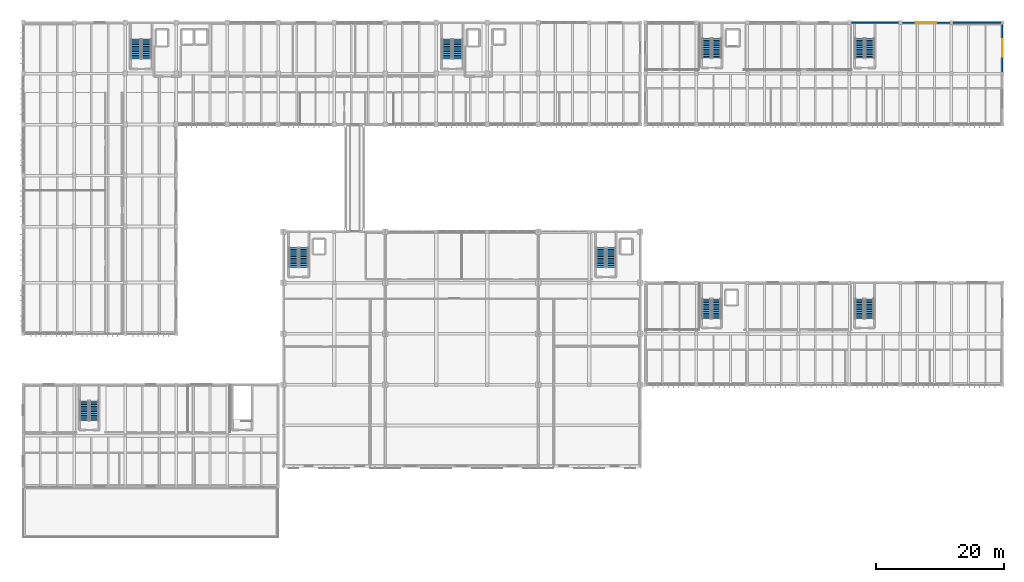
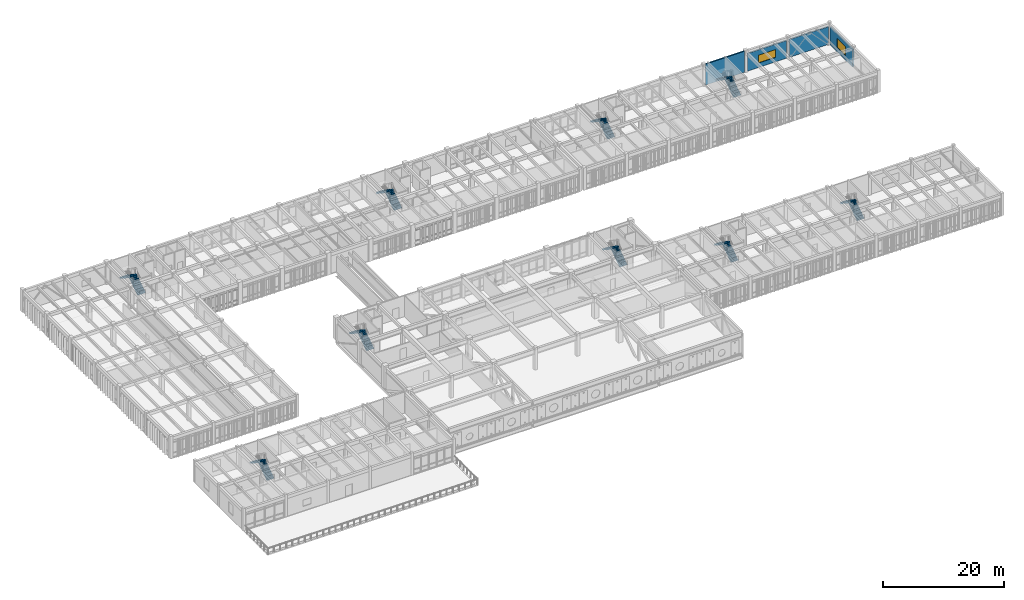
# One storey, part 62 of 79: 18 stair flights, 4 walls, 2 windows, 2 openings, 9 elements without a shape of their own.
"""IFC4 building model written with IfcOpenShell, lengths in metres."""

from ifc_helpers import new_model, si_unit, direction, frame, frame_2d, origin, place, context, subcontext, project, spatial, polyline, rectangle, outline, extrude, material, layer, layer_set, type_object, element, fill, aggregate, save


model = new_model("IFC4")

# Units and contexts
model_context = context("Model", 3, precision=1e-05, world=origin(), true_north=direction((0.0, 1.0)))
body_context = subcontext(model_context, "Body", "Model", "MODEL_VIEW")
ifc_project = project(units=[si_unit("LENGTHUNIT", "METRE"), si_unit("AREAUNIT", "SQUARE_METRE"), si_unit("VOLUMEUNIT", "CUBIC_METRE"), si_unit("PLANEANGLEUNIT", "RADIAN"), si_unit("MASSUNIT", "GRAM", prefix="KILO")], contexts=[model_context])

# Site, building, storey
site_placement = place(None, origin())
site = spatial("IfcSite", under=ifc_project, at=site_placement, CompositionType="ELEMENT")
building_placement = place(site_placement, origin())
building = spatial("IfcBuilding", under=site, at=building_placement, Name="Tlaxcora Railside Police Headquarters", CompositionType="ELEMENT")
storey_placement = place(building_placement, frame((0.0, 0.0, 9.0)))
storey = spatial("IfcBuildingStorey", under=building, at=storey_placement, Name="L02", CompositionType="ELEMENT", Elevation=9.0)

# Wall, opening, window
ifc_material_1 = material(Name="Precast concrete C40/50", Category="concrete")
ifc_layer = layer(ifc_material_1, 0.2451171875, Name="Precast concrete C40/50")
ifc_layer_set = layer_set([ifc_layer], Name="Precast concrete C40/50")
wall_type = type_object("IfcWallType", Name="Structural Bearing Wall EW-94", PredefinedType="SOLIDWALL", material=ifc_layer_set)
wall_1_placement = place(storey_placement, frame((158.800048828125, 85.050048828125, 0.0), z_axis=(0.0, 0.0, 1.0), x_axis=(0.0, 1.0, 0.0)))
wall_1 = element("IfcWall", 1, at=wall_1_placement, inside=storey, type_object=wall_type, Name="V6 L02 exterior wall 1.1", PredefinedType="SOLIDWALL", context=body_context, shape_type="SweptSolid", body=[
    extrude(rectangle(XDim=7.5, YDim=0.2451171875, at=frame_2d((3.75, 0.0))), origin(), (0.0, 0.0, 1.0), 3.570068359375),
])
opening_1_placement = place(wall_1_placement, frame((2.35009765625, 0.0, 0.89990234375)))
opening_1 = element("IfcOpeningElement", 2, at=opening_1_placement, cuts=wall_1, Name="Opening WN-44", PredefinedType="OPENING", context=body_context, shape_type="SweptSolid", body=[
    extrude(rectangle(XDim=2.800048828125, YDim=1.800048828125, at=frame_2d((1.39990234375, 0.89990234375))), frame((0.0, 0.132568359375, 0.0), z_axis=(0.0, -1.0, 0.0), x_axis=(1.0, 0.0, 0.0)), (0.0, 0.0, 1.0), 0.26513671875),
])
ifc_material_2 = material(Name="Thermally broken low-E insulated glazing", Category="glass")
window_type_1 = type_object("IfcWindowType", Name="Exterior Framed or Circular Window WN-44", PartitioningType="SINGLE_PANEL", PredefinedType="WINDOW", material=ifc_material_2)
window_1_placement = place(opening_1_placement, origin())
window_1 = element("IfcWindow", 3, at=window_1_placement, inside=storey, type_object=window_type_1, Name="V6 L02 window 175", OverallHeight=1.800048828125, OverallWidth=2.800048828125, PartitioningType="SINGLE_PANEL", PredefinedType="WINDOW", context=body_context, shape_type="SweptSolid", body=[
    extrude(rectangle(XDim=2.800048828125, YDim=1.800048828125, at=frame_2d((1.39990234375, 0.89990234375))), frame((0.0, 0.030029296875, 0.0), z_axis=(0.0, -1.0, 0.0), x_axis=(1.0, 0.0, 0.0)), (0.0, 0.0, 1.0), 0.06005859375),
])
fill(opening_1, window_1)

# Wall
wall_2_placement = place(storey_placement, frame((158.550048828125, 92.800048828125, 0.0), z_axis=(0.0, 0.0, 1.0), x_axis=(-1.0, 0.0, 0.0)))
element("IfcWall", 4, at=wall_2_placement, inside=storey, type_object=wall_type, Name="V6 L02 exterior wall 2.0", PredefinedType="SOLIDWALL", context=body_context, shape_type="SweptSolid", body=[
    extrude(rectangle(XDim=7.5, YDim=0.2451171875, at=frame_2d((3.75, 0.0))), origin(), (0.0, 0.0, 1.0), 3.570068359375),
])

# Wall, opening, window
wall_3_placement = place(storey_placement, frame((150.550048828125, 92.800048828125, 0.0), z_axis=(0.0, 0.0, 1.0), x_axis=(-1.0, 0.0, 0.0)))
wall_3 = element("IfcWall", 5, at=wall_3_placement, inside=storey, type_object=wall_type, Name="V6 L02 exterior wall 2.1", PredefinedType="SOLIDWALL", context=body_context, shape_type="SweptSolid", body=[
    extrude(rectangle(XDim=7.449951171875, YDim=0.2451171875, at=frame_2d((3.72509765625, 0.0))), origin(), (0.0, 0.0, 1.0), 3.570068359375),
])
opening_2_placement = place(wall_3_placement, frame((2.125, 0.0, 0.89990234375)))
opening_2 = element("IfcOpeningElement", 6, at=opening_2_placement, cuts=wall_3, Name="Opening WN-47", PredefinedType="OPENING", context=body_context, shape_type="SweptSolid", body=[
    extrude(rectangle(XDim=3.199951171875, YDim=1.60009765625, at=frame_2d((1.60009765625, 0.800048828125))), frame((0.0, 0.132568359375, 0.0), z_axis=(0.0, -1.0, 0.0), x_axis=(1.0, 0.0, 0.0)), (0.0, 0.0, 1.0), 0.26513671875),
])
window_type_2 = type_object("IfcWindowType", Name="Exterior Framed or Circular Window WN-47", PartitioningType="SINGLE_PANEL", PredefinedType="WINDOW", material=ifc_material_2)
window_2_placement = place(opening_2_placement, origin())
window_2 = element("IfcWindow", 7, at=window_2_placement, inside=storey, type_object=window_type_2, Name="V6 L02 window 176", OverallHeight=1.60009765625, OverallWidth=3.199951171875, PartitioningType="SINGLE_PANEL", PredefinedType="WINDOW", context=body_context, shape_type="SweptSolid", body=[
    extrude(rectangle(XDim=3.199951171875, YDim=1.60009765625, at=frame_2d((1.60009765625, 0.800048828125))), frame((0.0, 0.030029296875, 0.0), z_axis=(0.0, -1.0, 0.0), x_axis=(1.0, 0.0, 0.0)), (0.0, 0.0, 1.0), 0.06005859375),
])
fill(opening_2, window_2)

# Wall
wall_4_placement = place(storey_placement, frame((142.5, 92.800048828125, 0.0), z_axis=(0.0, 0.0, 1.0), x_axis=(-1.0, 0.0, 0.0)))
element("IfcWall", 8, at=wall_4_placement, inside=storey, type_object=wall_type, Name="V6 L02 exterior wall 2.2", PredefinedType="SOLIDWALL", context=body_context, shape_type="SweptSolid", body=[
    extrude(rectangle(XDim=7.39990234375, YDim=0.2451171875, at=frame_2d((3.699951171875, 0.0))), origin(), (0.0, 0.0, 1.0), 4.219970703125),
])

# Stair, stair flights
ifc_material_3 = material(Name="Concrete C40/50", Category="concrete")
stair_type_1 = type_object("IfcStairType", Name="Half-Turn Dog-Leg Stair ST-28", PredefinedType="HALF_TURN_STAIR", material=ifc_material_3)
stair_1_placement = place(storey_placement, origin())
stair_1 = element("IfcStair", 9, at=stair_1_placement, inside=storey, type_object=stair_type_1, Name="L02 ST1", PredefinedType="HALF_TURN_STAIR")
stair_flight_type_1 = type_object("IfcStairFlightType", Name="Straight Stair Flight SF-32", PredefinedType="STRAIGHT", material=ifc_material_3)
stair_flight_1_placement = place(storey_placement, frame((24.56005859375, 87.110107421875, 0.0), z_axis=(0.0, 0.0, 1.0), x_axis=(0.0, 1.0, 0.0)))
stair_flight_1 = element("IfcStairFlight", 10, at=stair_flight_1_placement, type_object=stair_flight_type_1, Name="ST1 flight 1", NumberOfRisers=12, NumberOfTreads=11, PredefinedType="STRAIGHT", RiserHeight=0.1875, TreadLength=0.28, context=body_context, shape_type="SweptSolid", body=[
    extrude(outline(polyline([(0.0, 0.0), (0.0, 0.1875), (0.280029296875, 0.1875), (0.280029296875, 0.375), (0.56005859375, 0.375), (0.56005859375, 0.5625), (0.840087890625, 0.5625), (0.840087890625, 0.75), (1.1201171875, 0.75), (1.1201171875, 0.9375), (1.39990234375, 0.9375), (1.39990234375, 1.125), (1.679931640625, 1.125), (1.679931640625, 1.3125), (1.9599609375, 1.3125), (1.9599609375, 1.5), (2.239990234375, 1.5), (2.239990234375, 1.6875), (2.52001953125, 1.6875), (2.52001953125, 1.875), (2.800048828125, 1.875), (2.800048828125, 2.0625), (3.080078125, 2.0625), (3.080078125, 2.25), (3.080078125, 1.882080078125), (0.26953125, 0.0), (0.0, 0.0)])), frame((0.0, 0.75, 0.0), z_axis=(0.0, -1.0, 0.0), x_axis=(1.0, 0.0, 0.0)), (0.0, 0.0, 1.0), 1.5),
])
stair_flight_2_placement = place(storey_placement, frame((22.860107421875, 90.18994140625, 2.25), z_axis=(0.0, 0.0, 1.0), x_axis=(0.0, -1.0, 0.0)))
stair_flight_2 = element("IfcStairFlight", 11, at=stair_flight_2_placement, type_object=stair_flight_type_1, Name="ST1 flight 2", NumberOfRisers=12, NumberOfTreads=11, PredefinedType="STRAIGHT", RiserHeight=0.1875, TreadLength=0.28, context=body_context, shape_type="SweptSolid", body=[
    extrude(outline(polyline([(0.0, 0.0), (0.0, 0.1875), (0.280029296875, 0.1875), (0.280029296875, 0.375), (0.56005859375, 0.375), (0.56005859375, 0.5625), (0.840087890625, 0.5625), (0.840087890625, 0.75), (1.1201171875, 0.75), (1.1201171875, 0.9375), (1.39990234375, 0.9375), (1.39990234375, 1.125), (1.679931640625, 1.125), (1.679931640625, 1.3125), (1.9599609375, 1.3125), (1.9599609375, 1.5), (2.239990234375, 1.5), (2.239990234375, 1.6875), (2.52001953125, 1.6875), (2.52001953125, 1.875), (2.800048828125, 1.875), (2.800048828125, 2.0625), (3.080078125, 2.0625), (3.080078125, 2.25), (3.080078125, 1.882080078125), (0.26953125, 0.0), (0.0, 0.0)])), frame((0.0, 0.75, 0.0), z_axis=(0.0, -1.0, 0.0), x_axis=(1.0, 0.0, 0.0)), (0.0, 0.0, 1.0), 1.5),
])
aggregate(stair_1, [stair_flight_1, stair_flight_2])

stair_2_placement = place(storey_placement, origin())
stair_2 = element("IfcStair", 12, at=stair_2_placement, inside=storey, type_object=stair_type_1, Name="L02 ST2", PredefinedType="HALF_TURN_STAIR")
stair_flight_3_placement = place(storey_placement, frame((73.360107421875, 87.110107421875, 0.0), z_axis=(0.0, 0.0, 1.0), x_axis=(0.0, 1.0, 0.0)))
stair_flight_3 = element("IfcStairFlight", 13, at=stair_flight_3_placement, type_object=stair_flight_type_1, Name="ST2 flight 1", NumberOfRisers=12, NumberOfTreads=11, PredefinedType="STRAIGHT", RiserHeight=0.1875, TreadLength=0.28, context=body_context, shape_type="SweptSolid", body=[
    extrude(outline(polyline([(0.0, 0.0), (0.0, 0.1875), (0.280029296875, 0.1875), (0.280029296875, 0.375), (0.56005859375, 0.375), (0.56005859375, 0.5625), (0.840087890625, 0.5625), (0.840087890625, 0.75), (1.1201171875, 0.75), (1.1201171875, 0.9375), (1.39990234375, 0.9375), (1.39990234375, 1.125), (1.679931640625, 1.125), (1.679931640625, 1.3125), (1.9599609375, 1.3125), (1.9599609375, 1.5), (2.239990234375, 1.5), (2.239990234375, 1.6875), (2.52001953125, 1.6875), (2.52001953125, 1.875), (2.800048828125, 1.875), (2.800048828125, 2.0625), (3.080078125, 2.0625), (3.080078125, 2.25), (3.080078125, 1.882080078125), (0.26953125, 0.0), (0.0, 0.0)])), frame((0.0, 0.75, 0.0), z_axis=(0.0, -1.0, 0.0), x_axis=(1.0, 0.0, 0.0)), (0.0, 0.0, 1.0), 1.5),
])
stair_flight_4_placement = place(storey_placement, frame((71.659912109375, 90.18994140625, 2.25), z_axis=(0.0, 0.0, 1.0), x_axis=(0.0, -1.0, 0.0)))
stair_flight_4 = element("IfcStairFlight", 14, at=stair_flight_4_placement, type_object=stair_flight_type_1, Name="ST2 flight 2", NumberOfRisers=12, NumberOfTreads=11, PredefinedType="STRAIGHT", RiserHeight=0.1875, TreadLength=0.28, context=body_context, shape_type="SweptSolid", body=[
    extrude(outline(polyline([(0.0, 0.0), (0.0, 0.1875), (0.280029296875, 0.1875), (0.280029296875, 0.375), (0.56005859375, 0.375), (0.56005859375, 0.5625), (0.840087890625, 0.5625), (0.840087890625, 0.75), (1.1201171875, 0.75), (1.1201171875, 0.9375), (1.39990234375, 0.9375), (1.39990234375, 1.125), (1.679931640625, 1.125), (1.679931640625, 1.3125), (1.9599609375, 1.3125), (1.9599609375, 1.5), (2.239990234375, 1.5), (2.239990234375, 1.6875), (2.52001953125, 1.6875), (2.52001953125, 1.875), (2.800048828125, 1.875), (2.800048828125, 2.0625), (3.080078125, 2.0625), (3.080078125, 2.25), (3.080078125, 1.882080078125), (0.26953125, 0.0), (0.0, 0.0)])), frame((0.0, 0.75, 0.0), z_axis=(0.0, -1.0, 0.0), x_axis=(1.0, 0.0, 0.0)), (0.0, 0.0, 1.0), 1.5),
])
aggregate(stair_2, [stair_flight_3, stair_flight_4])

stair_type_2 = type_object("IfcStairType", Name="Half-Turn Dog-Leg Stair ST-58", PredefinedType="HALF_TURN_STAIR", material=ifc_material_3)
stair_3_placement = place(storey_placement, origin())
stair_3 = element("IfcStair", 15, at=stair_3_placement, inside=storey, type_object=stair_type_2, Name="L02 ST3", PredefinedType="HALF_TURN_STAIR")
stair_flight_type_2 = type_object("IfcStairFlightType", Name="Straight Stair Flight SF-60", PredefinedType="STRAIGHT", material=ifc_material_3)
stair_flight_5_placement = place(storey_placement, frame((114.010009765625, 87.2099609375, 0.0), z_axis=(0.0, 0.0, 1.0), x_axis=(0.0, 1.0, 0.0)))
stair_flight_5 = element("IfcStairFlight", 16, at=stair_flight_5_placement, type_object=stair_flight_type_2, Name="ST3 flight 1", NumberOfRisers=12, NumberOfTreads=11, PredefinedType="STRAIGHT", RiserHeight=0.1875, TreadLength=0.28, context=body_context, shape_type="SweptSolid", body=[
    extrude(outline(polyline([(0.0, 0.0), (0.0, 0.1875), (0.280029296875, 0.1875), (0.280029296875, 0.375), (0.56005859375, 0.375), (0.56005859375, 0.5625), (0.840087890625, 0.5625), (0.840087890625, 0.75), (1.1201171875, 0.75), (1.1201171875, 0.9375), (1.39990234375, 0.9375), (1.39990234375, 1.125), (1.679931640625, 1.125), (1.679931640625, 1.3125), (1.9599609375, 1.3125), (1.9599609375, 1.5), (2.239990234375, 1.5), (2.239990234375, 1.6875), (2.52001953125, 1.6875), (2.52001953125, 1.875), (2.800048828125, 1.875), (2.800048828125, 2.0625), (3.080078125, 2.0625), (3.080078125, 2.25), (3.080078125, 1.882080078125), (0.26953125, 0.0), (0.0, 0.0)])), frame((0.0, 0.699951171875, 0.0), z_axis=(0.0, -1.0, 0.0), x_axis=(1.0, 0.0, 0.0)), (0.0, 0.0, 1.0), 1.39990234375),
])
stair_flight_6_placement = place(storey_placement, frame((112.409912109375, 90.2900390625, 2.25), z_axis=(0.0, 0.0, 1.0), x_axis=(0.0, -1.0, 0.0)))
stair_flight_6 = element("IfcStairFlight", 17, at=stair_flight_6_placement, type_object=stair_flight_type_2, Name="ST3 flight 2", NumberOfRisers=12, NumberOfTreads=11, PredefinedType="STRAIGHT", RiserHeight=0.1875, TreadLength=0.28, context=body_context, shape_type="SweptSolid", body=[
    extrude(outline(polyline([(0.0, 0.0), (0.0, 0.1875), (0.280029296875, 0.1875), (0.280029296875, 0.375), (0.56005859375, 0.375), (0.56005859375, 0.5625), (0.840087890625, 0.5625), (0.840087890625, 0.75), (1.1201171875, 0.75), (1.1201171875, 0.9375), (1.39990234375, 0.9375), (1.39990234375, 1.125), (1.679931640625, 1.125), (1.679931640625, 1.3125), (1.9599609375, 1.3125), (1.9599609375, 1.5), (2.239990234375, 1.5), (2.239990234375, 1.6875), (2.52001953125, 1.6875), (2.52001953125, 1.875), (2.800048828125, 1.875), (2.800048828125, 2.0625), (3.080078125, 2.0625), (3.080078125, 2.25), (3.080078125, 1.882080078125), (0.26953125, 0.0), (0.0, 0.0)])), frame((0.0, 0.699951171875, 0.0), z_axis=(0.0, -1.0, 0.0), x_axis=(1.0, 0.0, 0.0)), (0.0, 0.0, 1.0), 1.39990234375),
])
aggregate(stair_3, [stair_flight_5, stair_flight_6])

stair_4_placement = place(storey_placement, origin())
stair_4 = element("IfcStair", 18, at=stair_4_placement, inside=storey, type_object=stair_type_2, Name="L02 ST8", PredefinedType="HALF_TURN_STAIR")
stair_flight_7_placement = place(storey_placement, frame((138.010009765625, 87.2099609375, 0.0), z_axis=(0.0, 0.0, 1.0), x_axis=(0.0, 1.0, 0.0)))
stair_flight_7 = element("IfcStairFlight", 19, at=stair_flight_7_placement, type_object=stair_flight_type_2, Name="ST8 flight 1", NumberOfRisers=12, NumberOfTreads=11, PredefinedType="STRAIGHT", RiserHeight=0.1875, TreadLength=0.28, context=body_context, shape_type="SweptSolid", body=[
    extrude(outline(polyline([(0.0, 0.0), (0.0, 0.1875), (0.280029296875, 0.1875), (0.280029296875, 0.375), (0.56005859375, 0.375), (0.56005859375, 0.5625), (0.840087890625, 0.5625), (0.840087890625, 0.75), (1.1201171875, 0.75), (1.1201171875, 0.9375), (1.39990234375, 0.9375), (1.39990234375, 1.125), (1.679931640625, 1.125), (1.679931640625, 1.3125), (1.9599609375, 1.3125), (1.9599609375, 1.5), (2.239990234375, 1.5), (2.239990234375, 1.6875), (2.52001953125, 1.6875), (2.52001953125, 1.875), (2.800048828125, 1.875), (2.800048828125, 2.0625), (3.080078125, 2.0625), (3.080078125, 2.25), (3.080078125, 1.882080078125), (0.26953125, 0.0), (0.0, 0.0)])), frame((0.0, 0.699951171875, 0.0), z_axis=(0.0, -1.0, 0.0), x_axis=(1.0, 0.0, 0.0)), (0.0, 0.0, 1.0), 1.39990234375),
])
stair_flight_8_placement = place(storey_placement, frame((136.409912109375, 90.2900390625, 2.25), z_axis=(0.0, 0.0, 1.0), x_axis=(0.0, -1.0, 0.0)))
stair_flight_8 = element("IfcStairFlight", 20, at=stair_flight_8_placement, type_object=stair_flight_type_2, Name="ST8 flight 2", NumberOfRisers=12, NumberOfTreads=11, PredefinedType="STRAIGHT", RiserHeight=0.1875, TreadLength=0.28, context=body_context, shape_type="SweptSolid", body=[
    extrude(outline(polyline([(0.0, 0.0), (0.0, 0.1875), (0.280029296875, 0.1875), (0.280029296875, 0.375), (0.56005859375, 0.375), (0.56005859375, 0.5625), (0.840087890625, 0.5625), (0.840087890625, 0.75), (1.1201171875, 0.75), (1.1201171875, 0.9375), (1.39990234375, 0.9375), (1.39990234375, 1.125), (1.679931640625, 1.125), (1.679931640625, 1.3125), (1.9599609375, 1.3125), (1.9599609375, 1.5), (2.239990234375, 1.5), (2.239990234375, 1.6875), (2.52001953125, 1.6875), (2.52001953125, 1.875), (2.800048828125, 1.875), (2.800048828125, 2.0625), (3.080078125, 2.0625), (3.080078125, 2.25), (3.080078125, 1.882080078125), (0.26953125, 0.0), (0.0, 0.0)])), frame((0.0, 0.699951171875, 0.0), z_axis=(0.0, -1.0, 0.0), x_axis=(1.0, 0.0, 0.0)), (0.0, 0.0, 1.0), 1.39990234375),
])
aggregate(stair_4, [stair_flight_7, stair_flight_8])

stair_5_placement = place(storey_placement, origin())
stair_5 = element("IfcStair", 21, at=stair_5_placement, inside=storey, type_object=stair_type_2, Name="L02 ST4", PredefinedType="HALF_TURN_STAIR")
stair_flight_9_placement = place(storey_placement, frame((49.2099609375, 54.409912109375, 0.0), z_axis=(0.0, 0.0, 1.0), x_axis=(0.0, 1.0, 0.0)))
stair_flight_9 = element("IfcStairFlight", 22, at=stair_flight_9_placement, type_object=stair_flight_type_2, Name="ST4 flight 1", NumberOfRisers=12, NumberOfTreads=11, PredefinedType="STRAIGHT", RiserHeight=0.1875, TreadLength=0.28, context=body_context, shape_type="SweptSolid", body=[
    extrude(outline(polyline([(0.0, 0.0), (0.0, 0.1875), (0.280029296875, 0.1875), (0.280029296875, 0.375), (0.56005859375, 0.375), (0.56005859375, 0.5625), (0.840087890625, 0.5625), (0.840087890625, 0.75), (1.1201171875, 0.75), (1.1201171875, 0.9375), (1.39990234375, 0.9375), (1.39990234375, 1.125), (1.679931640625, 1.125), (1.679931640625, 1.3125), (1.9599609375, 1.3125), (1.9599609375, 1.5), (2.239990234375, 1.5), (2.239990234375, 1.6875), (2.52001953125, 1.6875), (2.52001953125, 1.875), (2.800048828125, 1.875), (2.800048828125, 2.0625), (3.080078125, 2.0625), (3.080078125, 2.25), (3.080078125, 1.882080078125), (0.26953125, 0.0), (0.0, 0.0)])), frame((0.0, 0.699951171875, 0.0), z_axis=(0.0, -1.0, 0.0), x_axis=(1.0, 0.0, 0.0)), (0.0, 0.0, 1.0), 1.39990234375),
])
stair_flight_10_placement = place(storey_placement, frame((47.610107421875, 57.489990234375, 2.25), z_axis=(0.0, 0.0, 1.0), x_axis=(0.0, -1.0, 0.0)))
stair_flight_10 = element("IfcStairFlight", 23, at=stair_flight_10_placement, type_object=stair_flight_type_2, Name="ST4 flight 2", NumberOfRisers=12, NumberOfTreads=11, PredefinedType="STRAIGHT", RiserHeight=0.1875, TreadLength=0.28, context=body_context, shape_type="SweptSolid", body=[
    extrude(outline(polyline([(0.0, 0.0), (0.0, 0.1875), (0.280029296875, 0.1875), (0.280029296875, 0.375), (0.56005859375, 0.375), (0.56005859375, 0.5625), (0.840087890625, 0.5625), (0.840087890625, 0.75), (1.1201171875, 0.75), (1.1201171875, 0.9375), (1.39990234375, 0.9375), (1.39990234375, 1.125), (1.679931640625, 1.125), (1.679931640625, 1.3125), (1.9599609375, 1.3125), (1.9599609375, 1.5), (2.239990234375, 1.5), (2.239990234375, 1.6875), (2.52001953125, 1.6875), (2.52001953125, 1.875), (2.800048828125, 1.875), (2.800048828125, 2.0625), (3.080078125, 2.0625), (3.080078125, 2.25), (3.080078125, 1.882080078125), (0.26953125, 0.0), (0.0, 0.0)])), frame((0.0, 0.699951171875, 0.0), z_axis=(0.0, -1.0, 0.0), x_axis=(1.0, 0.0, 0.0)), (0.0, 0.0, 1.0), 1.39990234375),
])
aggregate(stair_5, [stair_flight_9, stair_flight_10])

stair_6_placement = place(storey_placement, origin())
stair_6 = element("IfcStair", 24, at=stair_6_placement, inside=storey, type_object=stair_type_2, Name="L02 ST9", PredefinedType="HALF_TURN_STAIR")
stair_flight_11_placement = place(storey_placement, frame((97.409912109375, 54.409912109375, 0.0), z_axis=(0.0, 0.0, 1.0), x_axis=(0.0, 1.0, 0.0)))
stair_flight_11 = element("IfcStairFlight", 25, at=stair_flight_11_placement, type_object=stair_flight_type_2, Name="ST9 flight 1", NumberOfRisers=12, NumberOfTreads=11, PredefinedType="STRAIGHT", RiserHeight=0.1875, TreadLength=0.28, context=body_context, shape_type="SweptSolid", body=[
    extrude(outline(polyline([(0.0, 0.0), (0.0, 0.1875), (0.280029296875, 0.1875), (0.280029296875, 0.375), (0.56005859375, 0.375), (0.56005859375, 0.5625), (0.840087890625, 0.5625), (0.840087890625, 0.75), (1.1201171875, 0.75), (1.1201171875, 0.9375), (1.39990234375, 0.9375), (1.39990234375, 1.125), (1.679931640625, 1.125), (1.679931640625, 1.3125), (1.9599609375, 1.3125), (1.9599609375, 1.5), (2.239990234375, 1.5), (2.239990234375, 1.6875), (2.52001953125, 1.6875), (2.52001953125, 1.875), (2.800048828125, 1.875), (2.800048828125, 2.0625), (3.080078125, 2.0625), (3.080078125, 2.25), (3.080078125, 1.882080078125), (0.26953125, 0.0), (0.0, 0.0)])), frame((0.0, 0.699951171875, 0.0), z_axis=(0.0, -1.0, 0.0), x_axis=(1.0, 0.0, 0.0)), (0.0, 0.0, 1.0), 1.39990234375),
])
stair_flight_12_placement = place(storey_placement, frame((95.81005859375, 57.489990234375, 2.25), z_axis=(0.0, 0.0, 1.0), x_axis=(0.0, -1.0, 0.0)))
stair_flight_12 = element("IfcStairFlight", 26, at=stair_flight_12_placement, type_object=stair_flight_type_2, Name="ST9 flight 2", NumberOfRisers=12, NumberOfTreads=11, PredefinedType="STRAIGHT", RiserHeight=0.1875, TreadLength=0.28, context=body_context, shape_type="SweptSolid", body=[
    extrude(outline(polyline([(0.0, 0.0), (0.0, 0.1875), (0.280029296875, 0.1875), (0.280029296875, 0.375), (0.56005859375, 0.375), (0.56005859375, 0.5625), (0.840087890625, 0.5625), (0.840087890625, 0.75), (1.1201171875, 0.75), (1.1201171875, 0.9375), (1.39990234375, 0.9375), (1.39990234375, 1.125), (1.679931640625, 1.125), (1.679931640625, 1.3125), (1.9599609375, 1.3125), (1.9599609375, 1.5), (2.239990234375, 1.5), (2.239990234375, 1.6875), (2.52001953125, 1.6875), (2.52001953125, 1.875), (2.800048828125, 1.875), (2.800048828125, 2.0625), (3.080078125, 2.0625), (3.080078125, 2.25), (3.080078125, 1.882080078125), (0.26953125, 0.0), (0.0, 0.0)])), frame((0.0, 0.699951171875, 0.0), z_axis=(0.0, -1.0, 0.0), x_axis=(1.0, 0.0, 0.0)), (0.0, 0.0, 1.0), 1.39990234375),
])
aggregate(stair_6, [stair_flight_11, stair_flight_12])

stair_type_3 = type_object("IfcStairType", Name="Half-Turn Dog-Leg Stair ST-97", PredefinedType="HALF_TURN_STAIR", material=ifc_material_3)
stair_7_placement = place(storey_placement, origin())
stair_7 = element("IfcStair", 27, at=stair_7_placement, inside=storey, type_object=stair_type_3, Name="L02 ST6", PredefinedType="HALF_TURN_STAIR")
stair_flight_type_3 = type_object("IfcStairFlightType", Name="Straight Stair Flight SF-87", PredefinedType="STRAIGHT", material=ifc_material_3)
stair_flight_13_placement = place(storey_placement, frame((16.3349609375, 30.360107421875, 0.0), z_axis=(0.0, 0.0, 1.0), x_axis=(0.0, 1.0, 0.0)))
stair_flight_13 = element("IfcStairFlight", 28, at=stair_flight_13_placement, type_object=stair_flight_type_3, Name="ST6 flight 1", NumberOfRisers=12, NumberOfTreads=11, PredefinedType="STRAIGHT", RiserHeight=0.1875, TreadLength=0.28, context=body_context, shape_type="SweptSolid", body=[
    extrude(outline(polyline([(0.0, 0.0), (0.0, 0.1875), (0.280029296875, 0.1875), (0.280029296875, 0.375), (0.56005859375, 0.375), (0.56005859375, 0.5625), (0.840087890625, 0.5625), (0.840087890625, 0.75), (1.1201171875, 0.75), (1.1201171875, 0.9375), (1.39990234375, 0.9375), (1.39990234375, 1.125), (1.679931640625, 1.125), (1.679931640625, 1.3125), (1.9599609375, 1.3125), (1.9599609375, 1.5), (2.239990234375, 1.5), (2.239990234375, 1.6875), (2.52001953125, 1.6875), (2.52001953125, 1.875), (2.800048828125, 1.875), (2.800048828125, 2.0625), (3.080078125, 2.0625), (3.080078125, 2.25), (3.080078125, 1.882080078125), (0.26953125, 0.0), (0.0, 0.0)])), frame((0.0, 0.675048828125, 0.0), z_axis=(0.0, -1.0, 0.0), x_axis=(1.0, 0.0, 0.0)), (0.0, 0.0, 1.0), 1.35009765625),
])
stair_flight_14_placement = place(storey_placement, frame((14.784912109375, 33.43994140625, 2.25), z_axis=(0.0, 0.0, 1.0), x_axis=(0.0, -1.0, 0.0)))
stair_flight_14 = element("IfcStairFlight", 29, at=stair_flight_14_placement, type_object=stair_flight_type_3, Name="ST6 flight 2", NumberOfRisers=12, NumberOfTreads=11, PredefinedType="STRAIGHT", RiserHeight=0.1875, TreadLength=0.28, context=body_context, shape_type="SweptSolid", body=[
    extrude(outline(polyline([(0.0, 0.0), (0.0, 0.1875), (0.280029296875, 0.1875), (0.280029296875, 0.375), (0.56005859375, 0.375), (0.56005859375, 0.5625), (0.840087890625, 0.5625), (0.840087890625, 0.75), (1.1201171875, 0.75), (1.1201171875, 0.9375), (1.39990234375, 0.9375), (1.39990234375, 1.125), (1.679931640625, 1.125), (1.679931640625, 1.3125), (1.9599609375, 1.3125), (1.9599609375, 1.5), (2.239990234375, 1.5), (2.239990234375, 1.6875), (2.52001953125, 1.6875), (2.52001953125, 1.875), (2.800048828125, 1.875), (2.800048828125, 2.0625), (3.080078125, 2.0625), (3.080078125, 2.25), (3.080078125, 1.882080078125), (0.26953125, 0.0), (0.0, 0.0)])), frame((0.0, 0.675048828125, 0.0), z_axis=(0.0, -1.0, 0.0), x_axis=(1.0, 0.0, 0.0)), (0.0, 0.0, 1.0), 1.35009765625),
])
aggregate(stair_7, [stair_flight_13, stair_flight_14])

stair_8_placement = place(storey_placement, origin())
stair_8 = element("IfcStair", 30, at=stair_8_placement, inside=storey, type_object=stair_type_3, Name="L02 ST5", PredefinedType="HALF_TURN_STAIR")
stair_flight_15_placement = place(storey_placement, frame((113.93505859375, 46.360107421875, 0.0), z_axis=(0.0, 0.0, 1.0), x_axis=(0.0, 1.0, 0.0)))
stair_flight_15 = element("IfcStairFlight", 31, at=stair_flight_15_placement, type_object=stair_flight_type_3, Name="ST5 flight 1", NumberOfRisers=12, NumberOfTreads=11, PredefinedType="STRAIGHT", RiserHeight=0.1875, TreadLength=0.28, context=body_context, shape_type="SweptSolid", body=[
    extrude(outline(polyline([(0.0, 0.0), (0.0, 0.1875), (0.280029296875, 0.1875), (0.280029296875, 0.375), (0.56005859375, 0.375), (0.56005859375, 0.5625), (0.840087890625, 0.5625), (0.840087890625, 0.75), (1.1201171875, 0.75), (1.1201171875, 0.9375), (1.39990234375, 0.9375), (1.39990234375, 1.125), (1.679931640625, 1.125), (1.679931640625, 1.3125), (1.9599609375, 1.3125), (1.9599609375, 1.5), (2.239990234375, 1.5), (2.239990234375, 1.6875), (2.52001953125, 1.6875), (2.52001953125, 1.875), (2.800048828125, 1.875), (2.800048828125, 2.0625), (3.080078125, 2.0625), (3.080078125, 2.25), (3.080078125, 1.882080078125), (0.26953125, 0.0), (0.0, 0.0)])), frame((0.0, 0.675048828125, 0.0), z_axis=(0.0, -1.0, 0.0), x_axis=(1.0, 0.0, 0.0)), (0.0, 0.0, 1.0), 1.35009765625),
])
stair_flight_16_placement = place(storey_placement, frame((112.385009765625, 49.43994140625, 2.25), z_axis=(0.0, 0.0, 1.0), x_axis=(0.0, -1.0, 0.0)))
stair_flight_16 = element("IfcStairFlight", 32, at=stair_flight_16_placement, type_object=stair_flight_type_3, Name="ST5 flight 2", NumberOfRisers=12, NumberOfTreads=11, PredefinedType="STRAIGHT", RiserHeight=0.1875, TreadLength=0.28, context=body_context, shape_type="SweptSolid", body=[
    extrude(outline(polyline([(0.0, 0.0), (0.0, 0.1875), (0.280029296875, 0.1875), (0.280029296875, 0.375), (0.56005859375, 0.375), (0.56005859375, 0.5625), (0.840087890625, 0.5625), (0.840087890625, 0.75), (1.1201171875, 0.75), (1.1201171875, 0.9375), (1.39990234375, 0.9375), (1.39990234375, 1.125), (1.679931640625, 1.125), (1.679931640625, 1.3125), (1.9599609375, 1.3125), (1.9599609375, 1.5), (2.239990234375, 1.5), (2.239990234375, 1.6875), (2.52001953125, 1.6875), (2.52001953125, 1.875), (2.800048828125, 1.875), (2.800048828125, 2.0625), (3.080078125, 2.0625), (3.080078125, 2.25), (3.080078125, 1.882080078125), (0.26953125, 0.0), (0.0, 0.0)])), frame((0.0, 0.675048828125, 0.0), z_axis=(0.0, -1.0, 0.0), x_axis=(1.0, 0.0, 0.0)), (0.0, 0.0, 1.0), 1.35009765625),
])
aggregate(stair_8, [stair_flight_15, stair_flight_16])

stair_9_placement = place(storey_placement, origin())
stair_9 = element("IfcStair", 33, at=stair_9_placement, inside=storey, type_object=stair_type_3, Name="L02 ST11", PredefinedType="HALF_TURN_STAIR")
stair_flight_17_placement = place(storey_placement, frame((137.93505859375, 46.360107421875, 0.0), z_axis=(0.0, 0.0, 1.0), x_axis=(0.0, 1.0, 0.0)))
stair_flight_17 = element("IfcStairFlight", 34, at=stair_flight_17_placement, type_object=stair_flight_type_3, Name="ST11 flight 1", NumberOfRisers=12, NumberOfTreads=11, PredefinedType="STRAIGHT", RiserHeight=0.1875, TreadLength=0.28, context=body_context, shape_type="SweptSolid", body=[
    extrude(outline(polyline([(0.0, 0.0), (0.0, 0.1875), (0.280029296875, 0.1875), (0.280029296875, 0.375), (0.56005859375, 0.375), (0.56005859375, 0.5625), (0.840087890625, 0.5625), (0.840087890625, 0.75), (1.1201171875, 0.75), (1.1201171875, 0.9375), (1.39990234375, 0.9375), (1.39990234375, 1.125), (1.679931640625, 1.125), (1.679931640625, 1.3125), (1.9599609375, 1.3125), (1.9599609375, 1.5), (2.239990234375, 1.5), (2.239990234375, 1.6875), (2.52001953125, 1.6875), (2.52001953125, 1.875), (2.800048828125, 1.875), (2.800048828125, 2.0625), (3.080078125, 2.0625), (3.080078125, 2.25), (3.080078125, 1.882080078125), (0.26953125, 0.0), (0.0, 0.0)])), frame((0.0, 0.675048828125, 0.0), z_axis=(0.0, -1.0, 0.0), x_axis=(1.0, 0.0, 0.0)), (0.0, 0.0, 1.0), 1.35009765625),
])
stair_flight_18_placement = place(storey_placement, frame((136.385009765625, 49.43994140625, 2.25), z_axis=(0.0, 0.0, 1.0), x_axis=(0.0, -1.0, 0.0)))
stair_flight_18 = element("IfcStairFlight", 35, at=stair_flight_18_placement, type_object=stair_flight_type_3, Name="ST11 flight 2", NumberOfRisers=12, NumberOfTreads=11, PredefinedType="STRAIGHT", RiserHeight=0.1875, TreadLength=0.28, context=body_context, shape_type="SweptSolid", body=[
    extrude(outline(polyline([(0.0, 0.0), (0.0, 0.1875), (0.280029296875, 0.1875), (0.280029296875, 0.375), (0.56005859375, 0.375), (0.56005859375, 0.5625), (0.840087890625, 0.5625), (0.840087890625, 0.75), (1.1201171875, 0.75), (1.1201171875, 0.9375), (1.39990234375, 0.9375), (1.39990234375, 1.125), (1.679931640625, 1.125), (1.679931640625, 1.3125), (1.9599609375, 1.3125), (1.9599609375, 1.5), (2.239990234375, 1.5), (2.239990234375, 1.6875), (2.52001953125, 1.6875), (2.52001953125, 1.875), (2.800048828125, 1.875), (2.800048828125, 2.0625), (3.080078125, 2.0625), (3.080078125, 2.25), (3.080078125, 1.882080078125), (0.26953125, 0.0), (0.0, 0.0)])), frame((0.0, 0.675048828125, 0.0), z_axis=(0.0, -1.0, 0.0), x_axis=(1.0, 0.0, 0.0)), (0.0, 0.0, 1.0), 1.35009765625),
])
aggregate(stair_9, [stair_flight_17, stair_flight_18])

save(model, "model.ifc")
